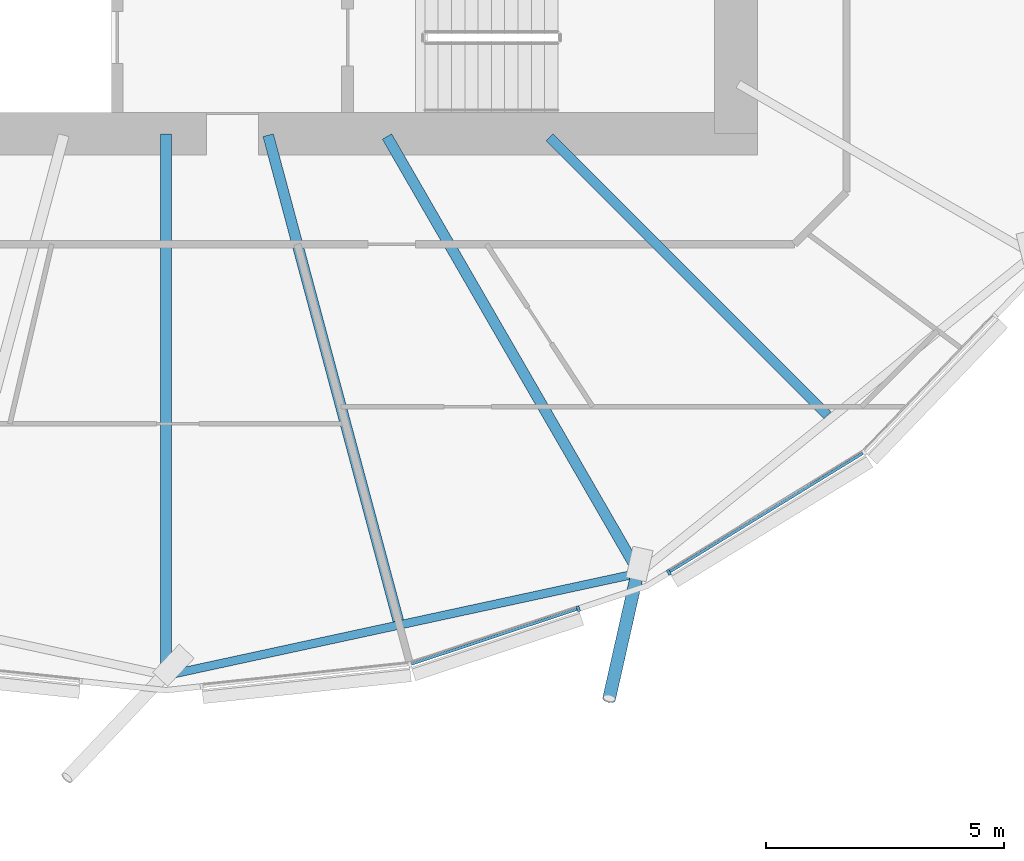
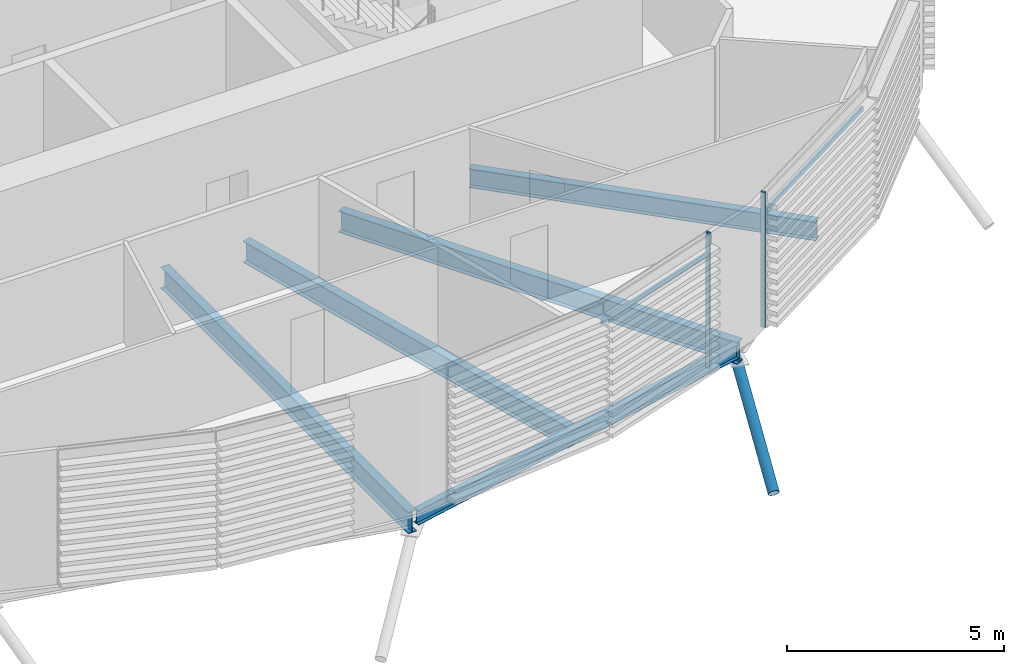
# One storey, part 4 of 36: 5 beams, 5 members, 1 element without a shape of its own.
"""IFC4 building model written with IfcOpenShell, lengths in metres."""

from ifc_helpers import new_model, si_unit, direction, frame, origin, origin_2d, place, context, subcontext, project, spatial, rectangle, hollow_circle, i_section, extrude, clip, halfspace, material, material_profile, profile_set, type_object, element, aggregate, save


model = new_model("IFC4")

# Units and contexts
model_context = context("Model", 3, precision=1e-05, world=origin(), true_north=direction((0.0, 1.0)))
body_context = subcontext(model_context, "Body", "Model", "MODEL_VIEW")
ifc_project = project(units=[si_unit("LENGTHUNIT", "METRE"), si_unit("AREAUNIT", "SQUARE_METRE"), si_unit("VOLUMEUNIT", "CUBIC_METRE"), si_unit("PLANEANGLEUNIT", "RADIAN"), si_unit("MASSUNIT", "GRAM", prefix="KILO")], contexts=[model_context])

# Site, building, storey
site_placement = place(None, origin())
site = spatial("IfcSite", under=ifc_project, at=site_placement, CompositionType="ELEMENT")
building_placement = place(site_placement, origin())
building = spatial("IfcBuilding", under=site, at=building_placement, Name="Rimbun Link Towers", CompositionType="ELEMENT")
storey_placement = place(building_placement, frame((0.0, 0.0, 37.60009765625)))
storey = spatial("IfcBuildingStorey", under=building, at=storey_placement, Name="L08", CompositionType="ELEMENT", Elevation=37.60009765625)

# Curtain wall, members
ifc_material_1 = material(Name="Aluminium 6063-T6 and low-iron glass", Category="aluminium")
curtain_wall_type = type_object("IfcCurtainWallType", Name="CW1 unitised vision wall", PredefinedType="NOTDEFINED", material=ifc_material_1)
curtain_wall_placement = place(storey_placement, origin())
curtain_wall = element("IfcCurtainWall", 1, at=curtain_wall_placement, inside=storey, type_object=curtain_wall_type, Name="CW1 L08 T1", PredefinedType="NOTDEFINED")
ifc_material_2 = material(Name="Aluminium 6063-T6", Category="aluminium")
ifc_material_profile_1 = material_profile(ifc_material_2, rectangle(XDim=0.1201171875, YDim=0.06005859375, at=origin_2d()), Name="MULLION 60X120")
ifc_profile_set_1 = profile_set([ifc_material_profile_1], Name="Aluminium 6063-T6")
member_type_1 = type_object("IfcMemberType", Name="CW1 mullion 60X120", PredefinedType="MULLION", material=ifc_profile_set_1)
member_1_placement = place(storey_placement, frame((-23.06884765625, -17.998291015625, 0.0), z_axis=(0.0, 0.0, 1.0), x_axis=(0.314563730837, -0.949236355837, 0.0)))
member_1 = element("IfcMember", 2, at=member_1_placement, type_object=member_type_1, Name="CW1 mullion", PredefinedType="MULLION", context=body_context, shape_type="SweptSolid", body=[
    extrude(rectangle(XDim=0.1201171875, YDim=0.06005859375, at=origin_2d()), origin(), (0.0, 0.0, 1.0), 3.7998046875),
])
member_2_placement = place(storey_placement, frame((-21.163818359375, -17.23291015625, 0.0), z_axis=(0.0, 0.0, 1.0), x_axis=(0.523232417417, -0.85219002421, 0.0)))
member_2 = element("IfcMember", 3, at=member_2_placement, type_object=member_type_1, Name="CW1 mullion", PredefinedType="MULLION", context=body_context, shape_type="SweptSolid", body=[
    extrude(rectangle(XDim=0.1201171875, YDim=0.06005859375, at=origin_2d()), origin(), (0.0, 0.0, 1.0), 3.7998046875),
])
ifc_material_3 = material(Name="Aluminium 6063-T6", Category="aluminium")
ifc_material_profile_2 = material_profile(ifc_material_3, rectangle(XDim=0.06005859375, YDim=0.1201171875, at=origin_2d()), Name="TRANSOM 60X120")
ifc_profile_set_2 = profile_set([ifc_material_profile_2], Name="Aluminium 6063-T6")
member_type_2 = type_object("IfcMemberType", Name="CW1 transom 60X120", PredefinedType="USERDEFINED", material=ifc_profile_set_2)
member_3_placement = place(storey_placement, frame((-23.097900390625, -18.005859375, 3.199951171875), z_axis=(-0.949227381323, -0.314590811288, 0.0), x_axis=(0.314590811288, -0.949227381323, 0.0)))
member_3 = element("IfcMember", 4, at=member_3_placement, type_object=member_type_2, Name="CW1 transom", ObjectType="TRANSOM", PredefinedType="USERDEFINED", context=body_context, shape_type="SweptSolid", body=[
    extrude(rectangle(XDim=0.06005859375, YDim=0.1201171875, at=origin_2d()), origin(), (0.0, 0.0, 1.0), 3.669921875),
])
member_4_placement = place(storey_placement, frame((-17.08447265625, -14.725830078125, 3.199951171875), z_axis=(-0.85218286568, -0.523244076356, 0.0), x_axis=(0.523244076356, -0.85218286568, 0.0)))
member_4 = element("IfcMember", 5, at=member_4_placement, type_object=member_type_2, Name="CW1 transom", ObjectType="TRANSOM", PredefinedType="USERDEFINED", context=body_context, shape_type="SweptSolid", body=[
    extrude(rectangle(XDim=0.06005859375, YDim=0.1201171875, at=origin_2d()), origin(), (0.0, 0.0, 1.0), 4.75830078125),
])
aggregate(curtain_wall, [member_1, member_2, member_3, member_4])

# Member
ifc_material_4 = material(Name="Steel S355J2H", Category="steel")
ifc_material_profile_3 = material_profile(ifc_material_4, hollow_circle(Radius=0.136474609375, WallThickness=0.012451171875, at=origin_2d()), Name="CHS 273x12.5")
ifc_profile_set_3 = profile_set([ifc_material_profile_3], Name="Steel S355J2H")
member_type_3 = type_object("IfcMemberType", Name="Floor edge link CHS 273x12.5", PredefinedType="BRACE", material=ifc_profile_set_3)
member_5_placement = place(storey_placement, frame((-21.816650390625, -17.205078125, -0.878173828125), z_axis=(-0.185878520547, -0.824938743843, -0.533783893075), x_axis=(0.975542013675, -0.219813055923, 0.0)))
element("IfcMember", 6, at=member_5_placement, inside=storey, type_object=member_type_3, Name="Floor edge link T1 L08 20", PredefinedType="BRACE", context=body_context, shape_type="Clipping", body=[
    clip(extrude(hollow_circle(Radius=0.136474609375, WallThickness=0.012451171875, at=origin_2d()), frame((0.0, 0.0, -0.451171875)), (0.0, 0.0, 1.0), 3.71630859375), halfspace(frame((0.0, 0.0, -0.212646484375), z_axis=(0.0, 0.845620928959, -0.533783893075)), False)),
])

# Beams
ifc_material_5 = material(Name="Steel S355J2", Category="steel")
ifc_material_profile_4 = material_profile(ifc_material_5, i_section(OverallWidth=0.177978515625, OverallDepth=0.406494140625, WebThickness=0.0078125, FlangeThickness=0.0126953125, at=origin_2d()), Name="UB 406x178x60")
ifc_profile_set_4 = profile_set([ifc_material_profile_4], Name="Steel S355J2")
beam_type_1 = type_object("IfcBeamType", Name="UB 406x178x60", PredefinedType="BEAM", material=ifc_profile_set_4)
beam_1_placement = place(storey_placement, frame((-31.63525390625, -19.3779296875, -0.36328125), z_axis=(0.977391971445, 0.211435413673, 0.0), x_axis=(-0.211435413673, 0.977391971445, 0.0)))
element("IfcBeam", 7, at=beam_1_placement, inside=storey, type_object=beam_type_1, Name="Edge beam T1 L08 18-20", PredefinedType="BEAM", context=body_context, shape_type="SweptSolid", body=[
    extrude(i_section(OverallWidth=0.177978515625, OverallDepth=0.406494140625, WebThickness=0.0078125, FlangeThickness=0.0126953125, at=origin_2d()), origin(), (0.0, 0.0, 1.0), 9.950927734375),
])
ifc_material_6 = material(Name="Steel S355J2", Category="steel")
ifc_material_profile_5 = material_profile(ifc_material_6, i_section(OverallWidth=0.209228515625, OverallDepth=0.533203125, WebThickness=0.010009765625, FlangeThickness=0.015625, at=origin_2d()), Name="UB 533x210x92")
ifc_profile_set_5 = profile_set([ifc_material_profile_5], Name="Steel S355J2")
beam_type_2 = type_object("IfcBeamType", Name="UB 533x210x92", PredefinedType="BEAM", material=ifc_profile_set_5)
beam_2_placement = place(storey_placement, frame((-23.67529296875, -8.07470703125, -0.426513671875), z_axis=(0.707106781187, -0.707106781187, 0.0), x_axis=(0.707106781187, 0.707106781187, 0.0)))
element("IfcBeam", 8, at=beam_2_placement, inside=storey, type_object=beam_type_2, Name="Radial beam T1 L08 21", PredefinedType="BEAM", context=body_context, shape_type="SweptSolid", body=[
    extrude(i_section(OverallWidth=0.209228515625, OverallDepth=0.533203125, WebThickness=0.010009765625, FlangeThickness=0.015625, at=origin_2d()), origin(), (0.0, 0.0, 1.0), 8.27734375),
])
ifc_material_7 = material(Name="Steel S355J2", Category="steel")
ifc_material_profile_6 = material_profile(ifc_material_7, i_section(OverallWidth=0.2275390625, OverallDepth=0.6025390625, WebThickness=0.010498046875, FlangeThickness=0.014892578125, at=origin_2d()), Name="UB 610x229x101")
ifc_profile_set_6 = profile_set([ifc_material_profile_6], Name="Steel S355J2")
beam_type_3 = type_object("IfcBeamType", Name="UB 610x229x101", PredefinedType="BEAM", material=ifc_profile_set_6)
beam_3_placement = place(storey_placement, frame((-31.75, -8.0009765625, -0.46142578125), z_axis=(0.0, -1.0, 0.0), x_axis=(1.0, 0.0, 0.0)))
element("IfcBeam", 9, at=beam_3_placement, inside=storey, type_object=beam_type_3, Name="Radial beam T1 L08 18", PredefinedType="BEAM", context=body_context, shape_type="SweptSolid", body=[
    extrude(i_section(OverallWidth=0.2275390625, OverallDepth=0.6025390625, WebThickness=0.010498046875, FlangeThickness=0.014892578125, at=origin_2d()), origin(), (0.0, 0.0, 1.0), 11.40185546875),
])
beam_4_placement = place(storey_placement, frame((-29.598388671875, -8.030517578125, -0.46142578125), z_axis=(0.258839865624, -0.965920247207, 0.0), x_axis=(0.965920247207, 0.258839865624, 0.0)))
element("IfcBeam", 10, at=beam_4_placement, inside=storey, type_object=beam_type_3, Name="Radial beam T1 L08 19", PredefinedType="BEAM", context=body_context, shape_type="SweptSolid", body=[
    extrude(i_section(OverallWidth=0.2275390625, OverallDepth=0.6025390625, WebThickness=0.010498046875, FlangeThickness=0.014892578125, at=origin_2d()), origin(), (0.0, 0.0, 1.0), 10.582763671875),
])
beam_5_placement = place(storey_placement, frame((-27.097900390625, -8.057861328125, -0.46142578125), z_axis=(0.500011199594, -0.866018937599, 0.0), x_axis=(0.866018937599, 0.500011199594, 0.0)))
element("IfcBeam", 11, at=beam_5_placement, inside=storey, type_object=beam_type_3, Name="Radial beam T1 L08 20", PredefinedType="BEAM", context=body_context, shape_type="SweptSolid", body=[
    extrude(i_section(OverallWidth=0.2275390625, OverallDepth=0.6025390625, WebThickness=0.010498046875, FlangeThickness=0.014892578125, at=origin_2d()), origin(), (0.0, 0.0, 1.0), 10.612548828125),
])

save(model, "model.ifc")
